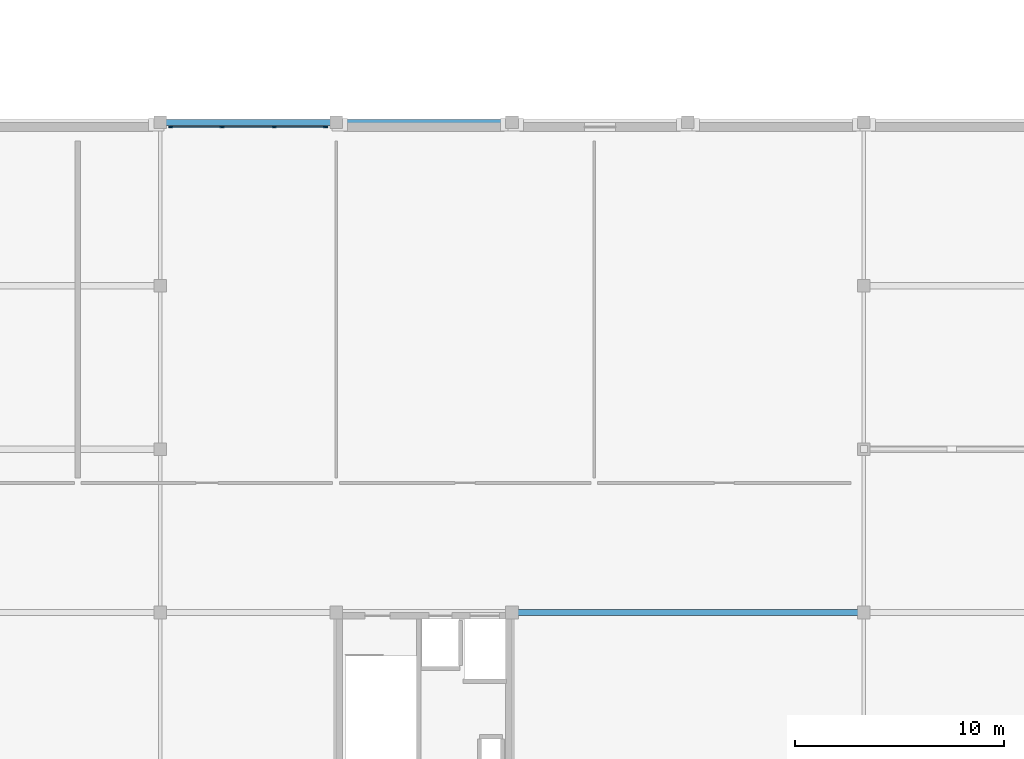
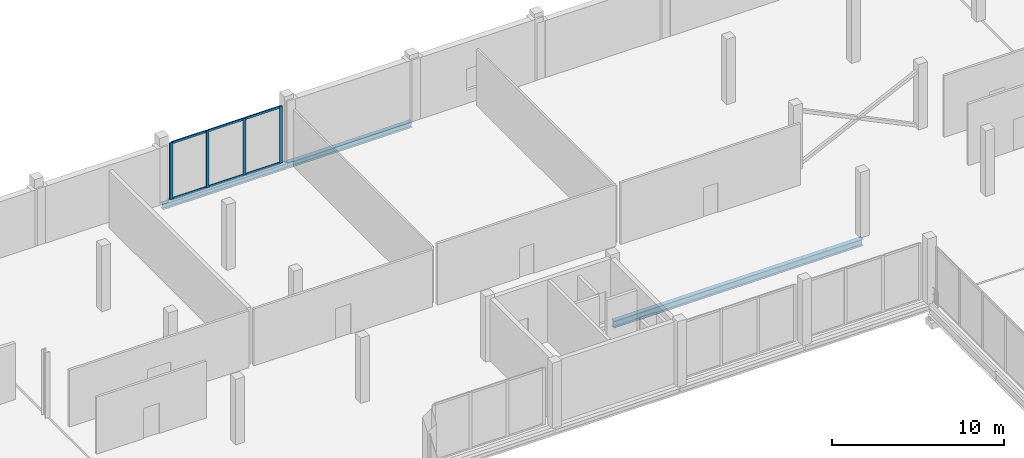
# One storey, part 44 of 98: 10 members, 3 beams, 1 element without a shape of its own.
"""IFC4 building model written with IfcOpenShell, lengths in metres."""

from ifc_helpers import new_model, si_unit, direction, frame, origin, origin_2d, place, context, subcontext, project, spatial, rectangle, i_section, extrude, material, material_profile, profile_set, type_object, element, aggregate, save


model = new_model("IFC4")

# Units and contexts
model_context = context("Model", 3, precision=1e-05, world=origin(), true_north=direction((0.0, 1.0)))
body_context = subcontext(model_context, "Body", "Model", "MODEL_VIEW")
ifc_project = project(units=[si_unit("LENGTHUNIT", "METRE"), si_unit("AREAUNIT", "SQUARE_METRE"), si_unit("VOLUMEUNIT", "CUBIC_METRE"), si_unit("PLANEANGLEUNIT", "RADIAN"), si_unit("MASSUNIT", "GRAM", prefix="KILO")], contexts=[model_context])

# Site, building, storey
site_placement = place(None, origin())
site = spatial("IfcSite", under=ifc_project, at=site_placement, CompositionType="ELEMENT")
building_placement = place(site_placement, origin())
building = spatial("IfcBuilding", under=site, at=building_placement, Name="Nabrawat Pavilion Hospital", CompositionType="ELEMENT")
storey_placement = place(building_placement, frame((0.0, 0.0, 10.199951171875)))
storey = spatial("IfcBuildingStorey", under=building, at=storey_placement, Name="L02", CompositionType="ELEMENT", Elevation=10.199951171875)

# Curtain wall, members
ifc_material_1 = material(Name="Anodised Aluminium", Category="aluminium")
curtain_wall_type = type_object("IfcCurtainWallType", Name="Emergency Concourse Glazed Screen", PredefinedType="USERDEFINED", material=ifc_material_1)
curtain_wall_placement = place(storey_placement, origin())
curtain_wall = element("IfcCurtainWall", 1, at=curtain_wall_placement, inside=storey, type_object=curtain_wall_type, Name="L02 Emergency Concourse Glazed Screen 116", ObjectType="CURTAIN WALL", PredefinedType="USERDEFINED")
ifc_material_profile_1 = material_profile(ifc_material_1, rectangle(XDim=0.070068359375, YDim=0.199951171875, at=origin_2d()), Name="CWM 70x200")
ifc_profile_set_1 = profile_set([ifc_material_profile_1], Name="Anodised Aluminium")
member_type_1 = type_object("IfcMemberType", Name="Emergency Concourse Glazed Screen Mullion CWM 70x200", PredefinedType="MULLION", material=ifc_profile_set_1)
member_1_placement = place(storey_placement, frame((76.10498046875, 116.780029296875, 0.0), z_axis=(0.0, 0.0, 1.0), x_axis=(0.0, 1.0, 0.0)))
member_1 = element("IfcMember", 2, at=member_1_placement, type_object=member_type_1, Name="CW-ED-01 mullion 1", PredefinedType="MULLION", context=body_context, shape_type="SweptSolid", body=[
    extrude(rectangle(XDim=0.070068359375, YDim=0.199951171875, at=origin_2d()), origin(), (0.0, 0.0, 1.0), 4.0400390625),
])
member_2_placement = place(storey_placement, frame((78.556640625, 116.780029296875, 0.0), z_axis=(0.0, 0.0, 1.0), x_axis=(0.0, 1.0, 0.0)))
member_2 = element("IfcMember", 3, at=member_2_placement, type_object=member_type_1, Name="CW-ED-01 mullion 2", PredefinedType="MULLION", context=body_context, shape_type="SweptSolid", body=[
    extrude(rectangle(XDim=0.070068359375, YDim=0.199951171875, at=origin_2d()), origin(), (0.0, 0.0, 1.0), 4.0400390625),
])
member_3_placement = place(storey_placement, frame((81.043212890625, 116.780029296875, 0.0), z_axis=(0.0, 0.0, 1.0), x_axis=(0.0, 1.0, 0.0)))
member_3 = element("IfcMember", 4, at=member_3_placement, type_object=member_type_1, Name="CW-ED-01 mullion 3", PredefinedType="MULLION", context=body_context, shape_type="SweptSolid", body=[
    extrude(rectangle(XDim=0.070068359375, YDim=0.199951171875, at=origin_2d()), origin(), (0.0, 0.0, 1.0), 4.0400390625),
])
member_4_placement = place(storey_placement, frame((83.4951171875, 116.780029296875, 0.0), z_axis=(0.0, 0.0, 1.0), x_axis=(0.0, 1.0, 0.0)))
member_4 = element("IfcMember", 5, at=member_4_placement, type_object=member_type_1, Name="CW-ED-01 mullion 4", PredefinedType="MULLION", context=body_context, shape_type="SweptSolid", body=[
    extrude(rectangle(XDim=0.070068359375, YDim=0.199951171875, at=origin_2d()), origin(), (0.0, 0.0, 1.0), 4.0400390625),
])
ifc_material_profile_2 = material_profile(ifc_material_1, rectangle(XDim=0.070068359375, YDim=0.14990234375, at=origin_2d()), Name="CWT 70x150")
ifc_profile_set_2 = profile_set([ifc_material_profile_2], Name="Anodised Aluminium")
member_type_2 = type_object("IfcMemberType", Name="Emergency Concourse Glazed Screen Transom CWT 70x150", PredefinedType="USERDEFINED", material=ifc_profile_set_2)
member_5_placement = place(storey_placement, frame((76.139892578125, 116.780029296875, 0.03515625), z_axis=(1.0, 0.0, 0.0), x_axis=(0.0, 1.0, 0.0)))
member_5 = element("IfcMember", 6, at=member_5_placement, type_object=member_type_2, Name="CW-ED-01 transom 1.1", ObjectType="TRANSOM", PredefinedType="USERDEFINED", context=body_context, shape_type="SweptSolid", body=[
    extrude(rectangle(XDim=0.070068359375, YDim=0.14990234375, at=origin_2d()), origin(), (0.0, 0.0, 1.0), 2.3818359375),
])
member_6_placement = place(storey_placement, frame((76.139892578125, 116.780029296875, 4.005126953125), z_axis=(1.0, 0.0, 0.0), x_axis=(0.0, 1.0, 0.0)))
member_6 = element("IfcMember", 7, at=member_6_placement, type_object=member_type_2, Name="CW-ED-01 transom 1.2", ObjectType="TRANSOM", PredefinedType="USERDEFINED", context=body_context, shape_type="SweptSolid", body=[
    extrude(rectangle(XDim=0.070068359375, YDim=0.14990234375, at=origin_2d()), origin(), (0.0, 0.0, 1.0), 2.3818359375),
])
member_7_placement = place(storey_placement, frame((78.591552734375, 116.780029296875, 0.03515625), z_axis=(1.0, 0.0, 0.0), x_axis=(0.0, 1.0, 0.0)))
member_7 = element("IfcMember", 8, at=member_7_placement, type_object=member_type_2, Name="CW-ED-01 transom 2.1", ObjectType="TRANSOM", PredefinedType="USERDEFINED", context=body_context, shape_type="SweptSolid", body=[
    extrude(rectangle(XDim=0.070068359375, YDim=0.14990234375, at=origin_2d()), origin(), (0.0, 0.0, 1.0), 2.416748046875),
])
member_8_placement = place(storey_placement, frame((78.591552734375, 116.780029296875, 4.005126953125), z_axis=(1.0, 0.0, 0.0), x_axis=(0.0, 1.0, 0.0)))
member_8 = element("IfcMember", 9, at=member_8_placement, type_object=member_type_2, Name="CW-ED-01 transom 2.2", ObjectType="TRANSOM", PredefinedType="USERDEFINED", context=body_context, shape_type="SweptSolid", body=[
    extrude(rectangle(XDim=0.070068359375, YDim=0.14990234375, at=origin_2d()), origin(), (0.0, 0.0, 1.0), 2.416748046875),
])
member_9_placement = place(storey_placement, frame((81.078369140625, 116.780029296875, 0.03515625), z_axis=(1.0, 0.0, 0.0), x_axis=(0.0, 1.0, 0.0)))
member_9 = element("IfcMember", 10, at=member_9_placement, type_object=member_type_2, Name="CW-ED-01 transom 3.1", ObjectType="TRANSOM", PredefinedType="USERDEFINED", context=body_context, shape_type="SweptSolid", body=[
    extrude(rectangle(XDim=0.070068359375, YDim=0.14990234375, at=origin_2d()), origin(), (0.0, 0.0, 1.0), 2.381591796875),
])
member_10_placement = place(storey_placement, frame((81.078369140625, 116.780029296875, 4.005126953125), z_axis=(1.0, 0.0, 0.0), x_axis=(0.0, 1.0, 0.0)))
member_10 = element("IfcMember", 11, at=member_10_placement, type_object=member_type_2, Name="CW-ED-01 transom 3.2", ObjectType="TRANSOM", PredefinedType="USERDEFINED", context=body_context, shape_type="SweptSolid", body=[
    extrude(rectangle(XDim=0.070068359375, YDim=0.14990234375, at=origin_2d()), origin(), (0.0, 0.0, 1.0), 2.381591796875),
])
aggregate(curtain_wall, [member_1, member_2, member_3, member_4, member_5, member_6, member_7, member_8, member_9, member_10])

# Beams
ifc_material_2 = material(Name="Steel S355", Category="steel")
ifc_material_profile_3 = material_profile(ifc_material_2, i_section(OverallWidth=0.300048828125, OverallDepth=0.389892578125, WebThickness=0.010986328125, FlangeThickness=0.01904296875, FilletRadius=0.027099609375, at=origin_2d()), Name="HEA 400")
ifc_profile_set_3 = profile_set([ifc_material_profile_3], Name="Steel S355")
beam_type_1 = type_object("IfcBeamType", Name="Perimeter Moment Spandrel Beam HEA 400", PredefinedType="SPANDREL", material=ifc_profile_set_3)
for number, where, z_axis, x_axis, name in (
    (12, (75.6201171875, 117.0, -0.445068359375), (1.0, 0.0, 0.0), (0.0, 1.0, 0.0), "L02 Primary X Girder 1150"),
    (13, (84.02001953125, 117.0, -0.445068359375), (1.0, 0.0, 0.0), (0.0, 1.0, 0.0), "L02 Primary X Girder 1151"),
):
    element("IfcBeam", number, at=place(storey_placement, frame(where, z_axis=z_axis, x_axis=x_axis)), inside=storey, type_object=beam_type_1, Name=name, PredefinedType="SPANDREL", context=body_context, shape_type="SweptSolid", body=[
        extrude(i_section(OverallWidth=0.300048828125, OverallDepth=0.389892578125, WebThickness=0.010986328125, FlangeThickness=0.01904296875, FilletRadius=0.027099609375, at=origin_2d()), origin(), (0.0, 0.0, 1.0), 8.35986328125),
    ])
ifc_material_profile_4 = material_profile(ifc_material_2, i_section(OverallWidth=0.300048828125, OverallDepth=0.489990234375, WebThickness=0.011962890625, FlangeThickness=0.02294921875, FilletRadius=0.027099609375, at=origin_2d()), Name="HEA 500")
ifc_profile_set_4 = profile_set([ifc_material_profile_4], Name="Steel S355")
beam_type_2 = type_object("IfcBeamType", Name="Primary Floor Girder HEA 500", PredefinedType="USERDEFINED", material=ifc_profile_set_4)
beam_placement = place(storey_placement, frame((92.419921875, 93.60009765625, -0.494873046875), z_axis=(1.0, 0.0, 0.0), x_axis=(0.0, 1.0, 0.0)))
element("IfcBeam", 14, at=beam_placement, inside=storey, type_object=beam_type_2, Name="L02 Primary X Girder 1107", ObjectType="GIRDER", PredefinedType="USERDEFINED", context=body_context, shape_type="SweptSolid", body=[
    extrude(i_section(OverallWidth=0.300048828125, OverallDepth=0.489990234375, WebThickness=0.011962890625, FlangeThickness=0.02294921875, FilletRadius=0.027099609375, at=origin_2d()), origin(), (0.0, 0.0, 1.0), 16.760009765625),
])

save(model, "model.ifc")
